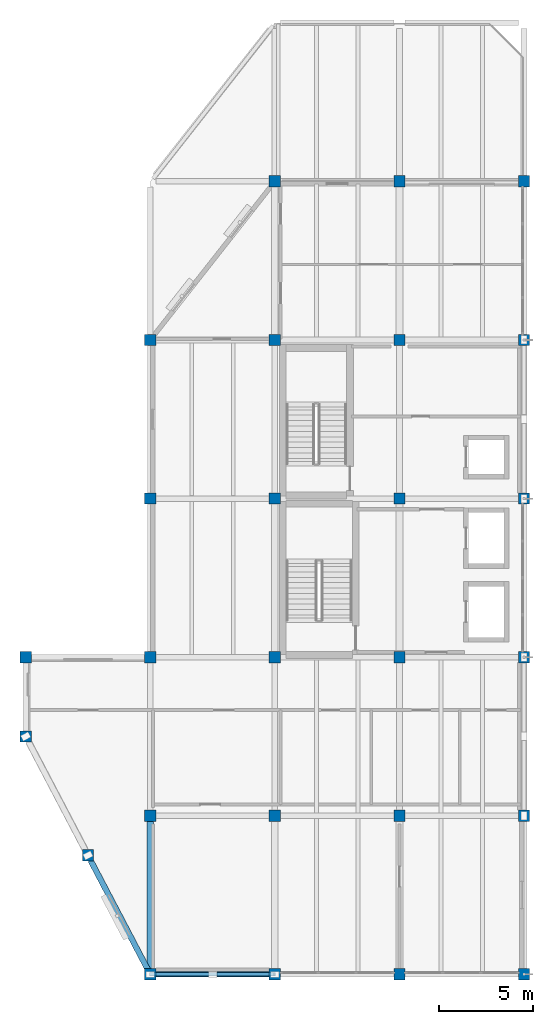
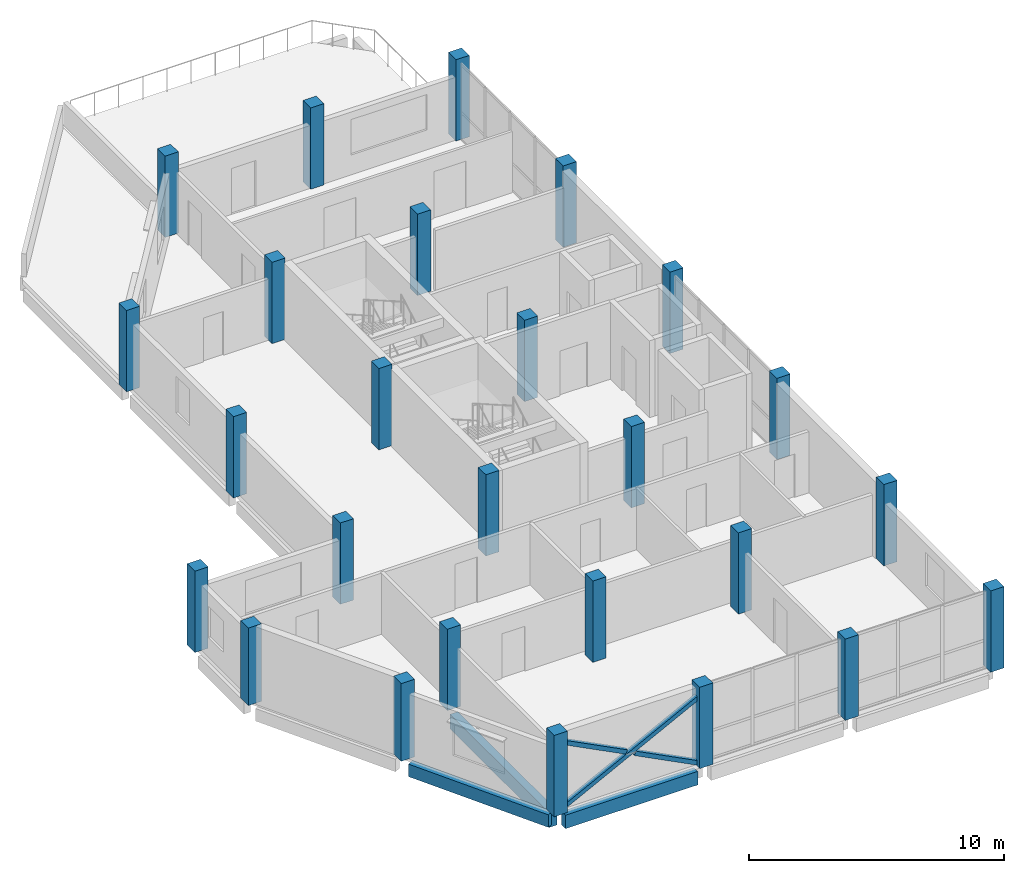
# One storey, part 1 of 10: 26 columns, 3 beams, 3 members.
"""IFC4 building model written with IfcOpenShell, lengths in metres."""

import ifcopenshell
import ifcopenshell.guid

model = None  # the IFC model being written
_history = None  # IfcOwnerHistory: only IFC2X3 demands one
_inside = {}  # id of a spatial element -> (the spatial element, [elements in it])
_under = {}  # id of a project, library or spatial element -> (it, [spatial elements below it])
_declared = {}  # id of a project -> (the project, [libraries it declares])
_typed = {}  # id of a type object -> (the type object, [elements of that type])
_made_of = {}  # id of a material, layer set ... -> (it, [elements and type objects made of it])


def new_model(schema):
    """Start an empty IFC model of exactly this schema.

    Asked for "IFC4X3", IfcOpenShell would pick the latest addendum, in which some entities
    have other attributes; the version numbers below select the first issue.
    IFC2X3 requires an IfcOwnerHistory on every rooted entity: one is made here for all.
    """
    global model, _history
    if schema == "IFC4X3":
        model = ifcopenshell.file(schema_version=(4, 3, 0, 0))
    else:
        model = ifcopenshell.file(schema=schema)
    _inside.clear()
    _under.clear()
    _declared.clear()
    _typed.clear()
    _made_of.clear()
    _history = None
    if model.schema == "IFC2X3":
        org = make("IfcOrganization", Name="unknown")
        user = make(
            "IfcPersonAndOrganization",
            ThePerson=make("IfcPerson", FamilyName="unknown"),
            TheOrganization=org,
        )
        app = make(
            "IfcApplication",
            ApplicationDeveloper=org,
            Version="unknown",
            ApplicationFullName="unknown",
            ApplicationIdentifier="unknown",
        )
        _history = make(
            "IfcOwnerHistory",
            OwningUser=user,
            OwningApplication=app,
            ChangeAction="ADDED",
            CreationDate=0,
        )
    return model


def make(cls, **values):
    """One entity of the class cls with the attributes given. An attribute that is None is left unset."""
    return model.create_entity(
        cls, **{name: value for name, value in values.items() if value is not None}
    )


def rooted(cls, **values):
    """An entity with a GlobalId (a new one), such as an element, a storey or a relation."""
    return make(cls, GlobalId=ifcopenshell.guid.new(), OwnerHistory=_history, **values)


def si_unit(unit_type, name, prefix=None):
    """IfcSIUnit, for example si_unit("LENGTHUNIT", "METRE", prefix="MILLI")."""
    return make("IfcSIUnit", UnitType=unit_type, Prefix=prefix, Name=name)


def assignment(units):
    """IfcUnitAssignment: the units of a project."""
    return None if units is None else make("IfcUnitAssignment", Units=units)


def point(xyz):
    """IfcCartesianPoint."""
    return None if xyz is None else make("IfcCartesianPoint", Coordinates=xyz)


def direction(xyz):
    """IfcDirection."""
    return None if xyz is None else make("IfcDirection", DirectionRatios=xyz)


def frame(location, z_axis=None, x_axis=None):
    """IfcAxis2Placement3D, a coordinate frame: its origin and axes. An axis left out is left unset."""
    return make(
        "IfcAxis2Placement3D",
        Location=point(location),
        Axis=direction(z_axis),
        RefDirection=direction(x_axis),
    )


def frame_2d(location, x_axis=None):
    """IfcAxis2Placement2D, a coordinate frame in the plane: its origin and x axis."""
    return make(
        "IfcAxis2Placement2D", Location=point(location), RefDirection=direction(x_axis)
    )


def origin():
    """The frame at (0, 0, 0) with its axes left unset."""
    return frame((0.0, 0.0, 0.0))


def origin_2d():
    """The frame at (0, 0) in the plane with its x axis left unset."""
    return frame_2d((0.0, 0.0))


def place(relative_to, where):
    """IfcLocalPlacement: puts the frame where relative to a parent placement (None: the world)."""
    return make(
        "IfcLocalPlacement", PlacementRelTo=relative_to, RelativePlacement=where
    )


def context(
    kind, dimensions, precision=None, world=None, true_north=None, identifier=None
):
    """IfcGeometricRepresentationContext, for example the 3D "Model" context."""
    return make(
        "IfcGeometricRepresentationContext",
        ContextIdentifier=identifier,
        ContextType=kind,
        CoordinateSpaceDimension=dimensions,
        Precision=precision,
        WorldCoordinateSystem=world,
        TrueNorth=true_north,
    )


def subcontext(parent, identifier, kind, view, scale=None):
    """IfcGeometricRepresentationSubContext, for example "Body" below "Model"."""
    return make(
        "IfcGeometricRepresentationSubContext",
        ContextIdentifier=identifier,
        ContextType=kind,
        ParentContext=parent,
        TargetScale=scale,
        TargetView=view,
    )


def project(units=None, contexts=None):
    """IfcProject with its units and contexts."""
    return rooted(
        "IfcProject",
        Name="project",
        RepresentationContexts=contexts,
        UnitsInContext=assignment(units),
    )


def spatial(cls, under=None, at=None, **own):
    """A site, building, storey or space (cls), placed at a placement, below another one or the project."""
    s = rooted(cls, ObjectPlacement=at, **own)
    if under is not None:
        _under.setdefault(under.id(), (under, []))[1].append(s)
    return s


def profile(cls, at=None, kind="AREA", **sizes):
    """A parametric profile (cls). Its sizes go by their IFC names, for example OverallWidth=200.0."""
    return make(cls, ProfileType=kind, Position=at, **sizes)


def rectangle(**sizes):
    """IfcRectangleProfileDef."""
    return profile("IfcRectangleProfileDef", **sizes)


def hollow_rectangle(**sizes):
    """IfcRectangleHollowProfileDef."""
    return profile("IfcRectangleHollowProfileDef", **sizes)


def extrude(swept, where, along, depth):
    """IfcExtrudedAreaSolid: the profile swept, set in the frame where, extruded along a direction by depth."""
    return make(
        "IfcExtrudedAreaSolid",
        SweptArea=swept,
        Position=where,
        ExtrudedDirection=direction(along),
        Depth=depth,
    )


def shape(context_of_items, identifier, shape_type, items):
    """IfcShapeRepresentation: the items that make up one representation, for example the "Body"."""
    return make(
        "IfcShapeRepresentation",
        ContextOfItems=context_of_items,
        RepresentationIdentifier=identifier,
        RepresentationType=shape_type,
        Items=items,
    )


def material(Name=None, Category=None):
    """IfcMaterial."""
    return make("IfcMaterial", Name=Name, Category=Category)


def material_profile(
    of_material, cross_section, Name=None, Category=None, Priority=None
):
    """IfcMaterialProfile: a cross section and its material."""
    return make(
        "IfcMaterialProfile",
        Name=Name,
        Material=of_material,
        Profile=cross_section,
        Priority=Priority,
        Category=Category,
    )


def profile_set(profiles, Name=None, composite=None):
    """IfcMaterialProfileSet."""
    return make(
        "IfcMaterialProfileSet",
        Name=Name,
        MaterialProfiles=profiles,
        CompositeProfile=composite,
    )


def made_of(thing, what):
    """Note that an element or type object is made of a material, layer set ...; save() writes the relation."""
    if what is not None:
        _made_of.setdefault(what.id(), (what, []))[1].append(thing)
    return thing


def type_object(cls, material=None, **own):
    """A type object (cls), such as IfcWallType, which elements share."""
    return made_of(rooted(cls, **own), material)


def element(
    cls,
    number,
    at=None,
    inside=None,
    cuts=None,
    type_object=None,
    material=None,
    context=None,
    identifier="Body",
    shape_type=None,
    held_by="IfcProductDefinitionShape",
    body=None,
    shapes=None,
    **own,
):
    """One element of the class cls, such as IfcWall. Its Tag is "e" and its number.

    at: its placement. inside: the storey or other place that contains it. cuts: it is an
    opening in that element (IfcRelVoidsElement). A single representation is given by context,
    identifier, shape_type and body (its items); several are given by shapes. held_by: the class
    of the entity that holds the representations. save() writes the other relations.
    """
    e = rooted(cls, Tag="e%d" % number, ObjectPlacement=at, **own)
    if body is not None:
        shapes = [shape(context, identifier, shape_type, body)]
    if shapes is not None:
        e.Representation = make(held_by, Representations=shapes)
    if inside is not None:
        _inside.setdefault(inside.id(), (inside, []))[1].append(e)
    if cuts is not None:
        rooted(
            "IfcRelVoidsElement", RelatingBuildingElement=cuts, RelatedOpeningElement=e
        )
    if type_object is not None:
        _typed.setdefault(type_object.id(), (type_object, []))[1].append(e)
    return made_of(e, material)


def aggregate(whole, parts):
    """IfcRelAggregates: a whole, such as a stair, and the parts it consists of."""
    return rooted("IfcRelAggregates", RelatingObject=whole, RelatedObjects=parts)


def save(model, path):
    """Write the relations noted so far, then the file.

    IfcRelAggregates (storeys below a building ...), IfcRelContainedInSpatialStructure (elements
    in a storey), IfcRelDefinesByType, IfcRelAssociatesMaterial and IfcRelDeclares: one each for
    every whole, place, type object, material and project.
    """
    for whole, parts in _under.values():
        aggregate(whole, parts)
    for where, things in _inside.values():
        rooted(
            "IfcRelContainedInSpatialStructure",
            RelatedElements=things,
            RelatingStructure=where,
        )
    for kind, things in _typed.values():
        rooted("IfcRelDefinesByType", RelatedObjects=things, RelatingType=kind)
    for what, things in _made_of.values():
        rooted("IfcRelAssociatesMaterial", RelatedObjects=things, RelatingMaterial=what)
    for by, libraries in _declared.values():
        rooted("IfcRelDeclares", RelatingContext=by, RelatedDefinitions=libraries)
    model.write(path)


model = new_model("IFC4")

# Units and contexts
model_context = context("Model", 3, precision=1e-05, world=origin(), true_north=direction((0.0, 1.0)))
body_context = subcontext(model_context, "Body", "Model", "MODEL_VIEW")
ifc_project = project(units=[si_unit("LENGTHUNIT", "METRE"), si_unit("AREAUNIT", "SQUARE_METRE"), si_unit("VOLUMEUNIT", "CUBIC_METRE"), si_unit("PLANEANGLEUNIT", "RADIAN"), si_unit("MASSUNIT", "GRAM", prefix="KILO")], contexts=[model_context])

# Site, building, storey
site_placement = place(None, origin())
site = spatial("IfcSite", under=ifc_project, at=site_placement, CompositionType="ELEMENT")
building_placement = place(site_placement, origin())
building = spatial("IfcBuilding", under=site, at=building_placement, Name="Qaldarim Faculty of Natural and Applied Sciences", CompositionType="ELEMENT")
storey_placement = place(building_placement, frame((0.0, 0.0, 39.300048828125)))
storey = spatial("IfcBuildingStorey", under=building, at=storey_placement, Name="L09", CompositionType="ELEMENT", Elevation=39.300048828125)

# Columns
ifc_material_1 = material(Name="Concrete C50/60", Category="concrete")
ifc_material_profile_1 = material_profile(ifc_material_1, rectangle(XDim=0.60009765625, YDim=0.60009765625, at=origin_2d()), Name="RC-C600x600")
ifc_profile_set_1 = profile_set([ifc_material_profile_1], Name="Concrete C50/60")
column_type = type_object("IfcColumnType", Name="Column-RC600x600", PredefinedType="COLUMN", material=ifc_profile_set_1)
for number, where, z_axis, x_axis, name in (
    (1, (151.800048828125, 16.800048828125, 0.0), (0.0, 0.0, 1.0), (1.0, 0.0, 0.0), "Column X24/Y03 L09"),
    (2, (158.39990234375, 0.0, 0.0), (0.0, 0.0, 1.0), (1.0, 0.0, 0.0), "Column X25/Y01 L09"),
    (3, (158.39990234375, 8.39990234375, 0.0), (0.0, 0.0, 1.0), (1.0, 0.0, 0.0), "Column X25/Y02 L09"),
    (4, (158.39990234375, 16.800048828125, 0.0), (0.0, 0.0, 1.0), (1.0, 0.0, 0.0), "Column X25/Y03 L09"),
    (5, (158.39990234375, 25.199951171875, 0.0), (0.0, 0.0, 1.0), (1.0, 0.0, 0.0), "Column X25/Y04 L09"),
    (6, (158.39990234375, 33.60009765625, 0.0), (0.0, 0.0, 1.0), (1.0, 0.0, 0.0), "Column X25/Y05 L09"),
    (7, (165.0, 0.0, 0.0), (0.0, 0.0, 1.0), (1.0, 0.0, 0.0), "Column X26/Y01 L09"),
    (8, (165.0, 8.39990234375, 0.0), (0.0, 0.0, 1.0), (1.0, 0.0, 0.0), "Column X26/Y02 L09"),
    (9, (165.0, 16.800048828125, 0.0), (0.0, 0.0, 1.0), (1.0, 0.0, 0.0), "Column X26/Y03 L09"),
    (10, (165.0, 25.199951171875, 0.0), (0.0, 0.0, 1.0), (1.0, 0.0, 0.0), "Column X26/Y04 L09"),
    (11, (165.0, 33.60009765625, 0.0), (0.0, 0.0, 1.0), (1.0, 0.0, 0.0), "Column X26/Y05 L09"),
    (12, (165.0, 42.0, 0.0), (0.0, 0.0, 1.0), (1.0, 0.0, 0.0), "Column X26/Y06 L09"),
    (13, (171.60009765625, 0.0, 0.0), (0.0, 0.0, 1.0), (1.0, 0.0, 0.0), "Column X27/Y01 L09"),
    (14, (171.60009765625, 8.39990234375, 0.0), (0.0, 0.0, 1.0), (1.0, 0.0, 0.0), "Column X27/Y02 L09"),
    (15, (171.60009765625, 16.800048828125, 0.0), (0.0, 0.0, 1.0), (1.0, 0.0, 0.0), "Column X27/Y03 L09"),
    (16, (171.60009765625, 25.199951171875, 0.0), (0.0, 0.0, 1.0), (1.0, 0.0, 0.0), "Column X27/Y04 L09"),
    (17, (171.60009765625, 33.60009765625, 0.0), (0.0, 0.0, 1.0), (1.0, 0.0, 0.0), "Column X27/Y05 L09"),
    (18, (171.60009765625, 42.0, 0.0), (0.0, 0.0, 1.0), (1.0, 0.0, 0.0), "Column X27/Y06 L09"),
    (19, (178.199951171875, 0.0, 0.0), (0.0, 0.0, 1.0), (1.0, 0.0, 0.0), "Column X28/Y01 L09"),
    (20, (178.199951171875, 8.39990234375, 0.0), (0.0, 0.0, 1.0), (1.0, 0.0, 0.0), "Column X28/Y02 L09"),
    (21, (178.199951171875, 16.800048828125, 0.0), (0.0, 0.0, 1.0), (1.0, 0.0, 0.0), "Column X28/Y03 L09"),
    (22, (178.199951171875, 25.199951171875, 0.0), (0.0, 0.0, 1.0), (1.0, 0.0, 0.0), "Column X28/Y04 L09"),
    (23, (178.199951171875, 33.60009765625, 0.0), (0.0, 0.0, 1.0), (1.0, 0.0, 0.0), "Column X28/Y05 L09"),
    (24, (178.199951171875, 42.0, 0.0), (0.0, 0.0, 1.0), (1.0, 0.0, 0.0), "Column X28/Y06 L09"),
):
    element("IfcColumn", number, at=place(storey_placement, frame(where, z_axis=z_axis, x_axis=x_axis)), inside=storey, type_object=column_type, Name=name, PredefinedType="COLUMN", context=body_context, shape_type="SweptSolid", body=[
        extrude(rectangle(XDim=0.60009765625, YDim=0.60009765625, at=origin_2d()), origin(), (0.0, 0.0, 1.0), 3.89990234375),
    ])
for number, where, z_axis, x_axis, name in (
    (25, (151.800048828125, 12.60009765625, 0.0), (0.0, 0.0, 1.0), (1.0, 0.0, 0.0), "Special structural column V5-SW1 L09"),
    (26, (155.10009765625, 6.300048828125, 0.0), (0.0, 0.0, 1.0), (1.0, 0.0, 0.0), "Special structural column V5-SW2 L09"),
):
    element("IfcColumn", number, at=place(storey_placement, frame(where, z_axis=z_axis, x_axis=x_axis)), inside=storey, type_object=column_type, Name=name, PredefinedType="COLUMN", context=body_context, shape_type="SweptSolid", body=[
        extrude(rectangle(XDim=0.60009765625, YDim=0.60009765625, at=origin_2d()), origin(), (0.0, 0.0, 1.0), 3.719970703125),
    ])

# Beams
ifc_material_2 = material(Name="Concrete C40/50", Category="concrete")
ifc_material_profile_2 = material_profile(ifc_material_2, rectangle(XDim=0.300048828125, YDim=0.64990234375, at=origin_2d()), Name="RC-B300x650")
ifc_profile_set_2 = profile_set([ifc_material_profile_2], Name="Concrete C40/50")
beam_type_1 = type_object("IfcBeamType", Name="PrimaryBeam-RC300x650", PredefinedType="BEAM", material=ifc_profile_set_2)
beam_1_placement = place(storey_placement, frame((158.699951171875, 0.0, -0.545166015625), z_axis=(1.0, 0.0, 0.0), x_axis=(0.0, 1.0, 0.0)))
element("IfcBeam", 27, at=beam_1_placement, inside=storey, type_object=beam_type_1, Name="Beam RC-B300x650 L08 X25-X26/Y01", PredefinedType="BEAM", context=body_context, shape_type="SweptSolid", body=[
    extrude(rectangle(XDim=0.300048828125, YDim=0.64990234375, at=origin_2d()), origin(), (0.0, 0.0, 1.0), 6.0),
])
ifc_material_profile_3 = material_profile(ifc_material_2, rectangle(XDim=0.35009765625, YDim=0.699951171875, at=origin_2d()), Name="RC-B350x700")
ifc_profile_set_3 = profile_set([ifc_material_profile_3], Name="Concrete C40/50")
beam_type_2 = type_object("IfcBeamType", Name="PrimaryGirder-RC350x700", PredefinedType="BEAM", material=ifc_profile_set_3)
beam_2_placement = place(storey_placement, frame((158.39990234375, 0.300048828125, -0.570068359375), z_axis=(0.0, 1.0, 0.0), x_axis=(-1.0, 0.0, 0.0)))
element("IfcBeam", 28, at=beam_2_placement, inside=storey, type_object=beam_type_2, Name="Beam RC-B350x700 L08 X25/Y01-Y02", PredefinedType="BEAM", context=body_context, shape_type="SweptSolid", body=[
    extrude(rectangle(XDim=0.35009765625, YDim=0.699951171875, at=origin_2d()), origin(), (0.0, 0.0, 1.0), 7.800048828125),
])
ifc_material_3 = material(Name="Precast concrete C40/50", Category="concrete")
ifc_material_profile_4 = material_profile(ifc_material_3, rectangle(XDim=0.300048828125, YDim=0.60009765625, at=origin_2d()), Name="RC-SP300x600")
ifc_profile_set_4 = profile_set([ifc_material_profile_4], Name="Precast concrete C40/50")
beam_type_3 = type_object("IfcBeamType", Name="SpandrelBeam-RC300x600", PredefinedType="SPANDREL", material=ifc_profile_set_4)
beam_3_placement = place(storey_placement, frame((155.239990234375, 6.030029296875, -0.52001953125), z_axis=(0.464353423794, -0.885649986061, 0.0), x_axis=(0.885649986061, 0.464353423794, 0.0)))
element("IfcBeam", 29, at=beam_3_placement, inside=storey, type_object=beam_type_3, Name="Oblique SW chamfer spandrel L08 3", PredefinedType="SPANDREL", context=body_context, shape_type="SweptSolid", body=[
    extrude(rectangle(XDim=0.300048828125, YDim=0.60009765625, at=origin_2d()), origin(), (0.0, 0.0, 1.0), 6.503662109375),
])

# Members
ifc_material_4 = material(Name="Structural steel S355", Category="steel")
ifc_material_profile_5 = material_profile(ifc_material_4, hollow_rectangle(XDim=0.199951171875, YDim=0.199951171875, WallThickness=0.012451171875, at=origin_2d()), Name="SHS 200x200x12.5")
ifc_profile_set_5 = profile_set([ifc_material_profile_5], Name="Structural steel S355")
member_type = type_object("IfcMemberType", Name="UpperWingBrace-SHS200x12-5", PredefinedType="BRACE", material=ifc_profile_set_5)
member_placement = place(storey_placement, frame((158.39990234375, 0.0, 0.0), z_axis=(0.890079203506, 0.0, 0.455805892333), x_axis=(0.0, 1.0, 0.0)))
element("IfcMember", 30, at=member_placement, inside=storey, type_object=member_type, Name="South diagrid L09 primary brace L", PredefinedType="BRACE", context=body_context, shape_type="SweptSolid", body=[
    extrude(hollow_rectangle(XDim=0.199951171875, YDim=0.199951171875, WallThickness=0.012451171875, at=origin_2d()), origin(), (0.0, 0.0, 1.0), 7.415283203125),
])
for number, where, z_axis, x_axis, name in (
    (31, (165.0, 0.0, 0.0), (-0.890102922621, 0.0, 0.455759571639), (0.0, -1.0, 0.0), "South diagrid L09 split secondary lower brace R1"),
    (32, (161.5048828125, 0.0, 1.7900390625), (-0.890102922621, 0.0, 0.455759571639), (0.0, -1.0, 0.0), "South diagrid L09 split secondary upper brace R2"),
):
    element("IfcMember", number, at=place(storey_placement, frame(where, z_axis=z_axis, x_axis=x_axis)), inside=storey, type_object=member_type, Name=name, PredefinedType="BRACE", context=body_context, shape_type="SweptSolid", body=[
        extrude(hollow_rectangle(XDim=0.199951171875, YDim=0.199951171875, WallThickness=0.012451171875, at=origin_2d()), origin(), (0.0, 0.0, 1.0), 3.48828125),
    ])

save(model, "model.ifc")
